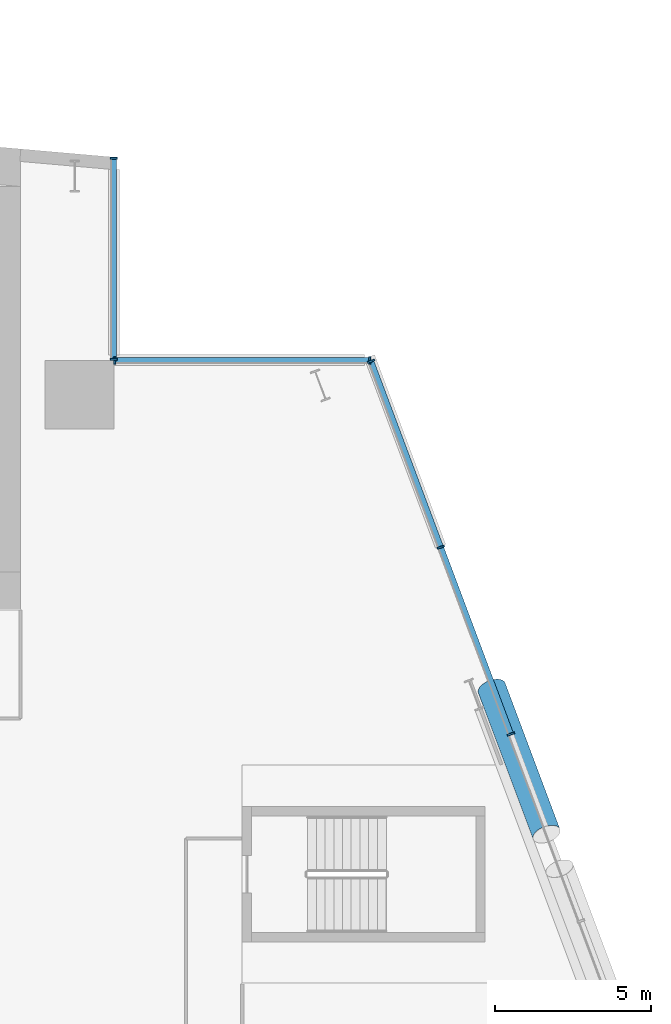
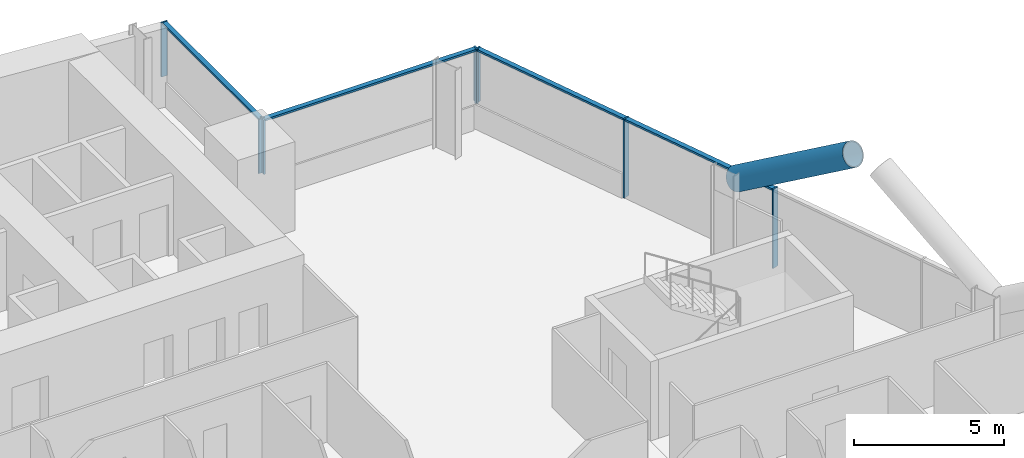
# One storey, part 10 of 28: 12 members, 3 elements without a shape of their own.
"""IFC4 building model written with IfcOpenShell, lengths in metres."""

from ifc_helpers import new_model, si_unit, direction, frame, origin, origin_2d, place, context, subcontext, project, spatial, rectangle, hollow_circle, extrude, material, material_profile, profile_set, type_object, element, aggregate, save


model = new_model("IFC4")

# Units and contexts
model_context = context("Model", 3, precision=1e-05, world=origin(), true_north=direction((0.0, 1.0)))
body_context = subcontext(model_context, "Body", "Model", "MODEL_VIEW")
ifc_project = project(units=[si_unit("LENGTHUNIT", "METRE"), si_unit("AREAUNIT", "SQUARE_METRE"), si_unit("VOLUMEUNIT", "CUBIC_METRE"), si_unit("PLANEANGLEUNIT", "RADIAN"), si_unit("MASSUNIT", "GRAM", prefix="KILO")], contexts=[model_context])

# Site, building, storey
site_placement = place(None, origin())
site = spatial("IfcSite", under=ifc_project, at=site_placement, CompositionType="ELEMENT")
building_placement = place(site_placement, origin())
building = spatial("IfcBuilding", under=site, at=building_placement, Name="Wharfspan Tower", CompositionType="ELEMENT")
storey_placement = place(building_placement, frame((0.0, 0.0, 52.300049)))
storey = spatial("IfcBuildingStorey", under=building, at=storey_placement, Name="L09", CompositionType="ELEMENT", Elevation=52.300049)

# Curtain wall, members
ifc_material_1 = material(Name="Aluminium 6063-T6", Category="aluminium")
curtain_wall_type = type_object("IfcCurtainWallType", Name="CURTAIN WALL PROW AND END", PredefinedType="NOTDEFINED", material=ifc_material_1)
curtain_wall_1_placement = place(storey_placement, origin())
curtain_wall_1 = element("IfcCurtainWall", 1, at=curtain_wall_1_placement, inside=storey, type_object=curtain_wall_type, Name="Curtain wall E", PredefinedType="NOTDEFINED")
ifc_material_profile_1 = material_profile(ifc_material_1, rectangle(XDim=0.23999, YDim=0.060059, at=origin_2d()))
ifc_profile_set_1 = profile_set([ifc_material_profile_1], Name="Aluminium 6063-T6")
member_type_1 = type_object("IfcMemberType", Name="MULLION PROW AND END 60x240", PredefinedType="MULLION", material=ifc_profile_set_1)
member_1_placement = place(storey_placement, frame((80.75, 30.0, 0.0), z_axis=(0.0, 0.0, 1.0), x_axis=(-0.936328, -0.351123, 0.0)))
member_1 = element("IfcMember", 2, at=member_1_placement, type_object=member_type_1, Name="Curtain wall E mullion 6", PredefinedType="MULLION", context=body_context, shape_type="SweptSolid", body=[
    extrude(rectangle(XDim=0.23999, YDim=0.060059, at=origin_2d()), origin(), (0.0, 0.0, 1.0), 3.199951),
])
member_2_placement = place(storey_placement, frame((78.5, 36.0, 0.0), z_axis=(0.0, 0.0, 1.0), x_axis=(-0.936328, -0.351123, 0.0)))
member_2 = element("IfcMember", 3, at=member_2_placement, type_object=member_type_1, Name="Curtain wall E mullion 7", PredefinedType="MULLION", context=body_context, shape_type="SweptSolid", body=[
    extrude(rectangle(XDim=0.23999, YDim=0.060059, at=origin_2d()), origin(), (0.0, 0.0, 1.0), 3.199951),
])
member_3_placement = place(storey_placement, frame((76.260498, 41.971924, 1.0), z_axis=(0.0, 0.0, 1.0), x_axis=(-0.936328, -0.351123, 0.0)))
member_3 = element("IfcMember", 4, at=member_3_placement, type_object=member_type_1, Name="Curtain wall E mullion 8", PredefinedType="MULLION", context=body_context, shape_type="SweptSolid", body=[
    extrude(rectangle(XDim=0.23999, YDim=0.060059, at=origin_2d()), origin(), (0.0, 0.0, 1.0), 2.199951),
])

curtain_wall_2_placement = place(storey_placement, origin())
curtain_wall_2 = element("IfcCurtainWall", 5, at=curtain_wall_2_placement, inside=storey, type_object=curtain_wall_type, Name="Curtain wall NRE-H", PredefinedType="NOTDEFINED")
member_4_placement = place(storey_placement, frame((76.219971, 42.0, 1.0), z_axis=(0.0, 0.0, 1.0), x_axis=(0.0, -1.0, 0.0)))
member_4 = element("IfcMember", 6, at=member_4_placement, type_object=member_type_1, Name="Curtain wall NRE-H mullion 1", PredefinedType="MULLION", context=body_context, shape_type="SweptSolid", body=[
    extrude(rectangle(XDim=0.23999, YDim=0.060059, at=origin_2d()), origin(), (0.0, 0.0, 1.0), 2.199951),
])
member_5_placement = place(storey_placement, frame((68.030029, 42.0, 1.0), z_axis=(0.0, 0.0, 1.0), x_axis=(0.0, -1.0, 0.0)))
member_5 = element("IfcMember", 7, at=member_5_placement, type_object=member_type_1, Name="Curtain wall NRE-H mullion 2", PredefinedType="MULLION", context=body_context, shape_type="SweptSolid", body=[
    extrude(rectangle(XDim=0.23999, YDim=0.060059, at=origin_2d()), origin(), (0.0, 0.0, 1.0), 2.199951),
])

curtain_wall_3_placement = place(storey_placement, origin())
curtain_wall_3 = element("IfcCurtainWall", 8, at=curtain_wall_3_placement, inside=storey, type_object=curtain_wall_type, Name="Curtain wall NRE-V", PredefinedType="NOTDEFINED")
member_6_placement = place(storey_placement, frame((68.0, 42.030029, 1.0), z_axis=(0.0, 0.0, 1.0), x_axis=(-1.0, 0.0, 0.0)))
member_6 = element("IfcMember", 9, at=member_6_placement, type_object=member_type_1, Name="Curtain wall NRE-V mullion 1", PredefinedType="MULLION", context=body_context, shape_type="SweptSolid", body=[
    extrude(rectangle(XDim=0.23999, YDim=0.060059, at=origin_2d()), origin(), (0.0, 0.0, 1.0), 2.199951),
])
member_7_placement = place(storey_placement, frame((68.0, 48.494873, 1.0), z_axis=(0.0, 0.0, 1.0), x_axis=(-1.0, 0.0, 0.0)))
member_7 = element("IfcMember", 10, at=member_7_placement, type_object=member_type_1, Name="Curtain wall NRE-V mullion 2", PredefinedType="MULLION", context=body_context, shape_type="SweptSolid", body=[
    extrude(rectangle(XDim=0.23999, YDim=0.060059, at=origin_2d()), origin(), (0.0, 0.0, 1.0), 2.199951),
])

# Member
ifc_material_2 = material(Name="Steel S460NH", Category="steel")
ifc_material_profile_2 = material_profile(ifc_material_2, hollow_circle(Radius=0.457031, WallThickness=0.040039, at=origin_2d()))
ifc_profile_set_2 = profile_set([ifc_material_profile_2], Name="Steel S460NH")
member_type_2 = type_object("IfcMemberType", Name="Mega brace CHS 914x40", PredefinedType="BRACE", material=ifc_profile_set_2)
member_8_placement = place(storey_placement, frame((80.135986, 31.480713, 2.899902), z_axis=(0.295459, -0.787904, 0.540288), x_axis=(0.936328, 0.351115, -3e-06)))
element("IfcMember", 11, at=member_8_placement, inside=storey, type_object=member_type_2, Name="Mega brace E6 L10 part 3", PredefinedType="BRACE", context=body_context, shape_type="SweptSolid", body=[
    extrude(hollow_circle(Radius=0.457031, WallThickness=0.040039, at=origin_2d()), origin(), (0.0, 0.0, 1.0), 5.955322),
])

ifc_material_profile_3 = material_profile(ifc_material_1, rectangle(XDim=0.179932, YDim=0.080078, at=origin_2d()))
ifc_profile_set_3 = profile_set([ifc_material_profile_3], Name="Aluminium 6063-T6")
member_type_3 = type_object("IfcMemberType", Name="TRANSOM PROW AND END 80x180", PredefinedType="USERDEFINED", material=ifc_profile_set_3)
member_9_placement = place(storey_placement, frame((80.739502, 30.028076, 3.159912), z_axis=(-0.351132, 0.936326, 0.0), x_axis=(-0.936326, -0.351132, 0.0)))
member_9 = element("IfcMember", 12, at=member_9_placement, type_object=member_type_3, Name="Curtain wall E transom 6", ObjectType="TRANSOM", PredefinedType="USERDEFINED", context=body_context, shape_type="SweptSolid", body=[
    extrude(rectangle(XDim=0.179932, YDim=0.080078, at=origin_2d()), origin(), (0.0, 0.0, 1.0), 6.348145),
])

member_10_placement = place(storey_placement, frame((78.489502, 36.028076, 3.159912), z_axis=(-0.351136, 0.936324, 0.0), x_axis=(-0.936324, -0.351136, 0.0)))
member_10 = element("IfcMember", 13, at=member_10_placement, type_object=member_type_3, Name="Curtain wall E transom 7", ObjectType="TRANSOM", PredefinedType="USERDEFINED", context=body_context, shape_type="SweptSolid", body=[
    extrude(rectangle(XDim=0.179932, YDim=0.080078, at=origin_2d()), origin(), (0.0, 0.0, 1.0), 6.318115),
])

aggregate(curtain_wall_1, [member_1, member_2, member_3, member_9, member_10])

member_11_placement = place(storey_placement, frame((76.189941, 42.0, 3.159912), z_axis=(-1.0, 0.0, 0.0), x_axis=(0.0, -1.0, 0.0)))
member_11 = element("IfcMember", 14, at=member_11_placement, type_object=member_type_3, Name="Curtain wall NRE-H transom 1", ObjectType="TRANSOM", PredefinedType="USERDEFINED", context=body_context, shape_type="SweptSolid", body=[
    extrude(rectangle(XDim=0.179932, YDim=0.080078, at=origin_2d()), origin(), (0.0, 0.0, 1.0), 8.129883),
])

aggregate(curtain_wall_2, [member_4, member_5, member_11])

member_12_placement = place(storey_placement, frame((68.0, 42.060059, 3.159912), z_axis=(0.0, 1.0, 0.0), x_axis=(-1.0, 0.0, 0.0)))
member_12 = element("IfcMember", 15, at=member_12_placement, type_object=member_type_3, Name="Curtain wall NRE-V transom 1", ObjectType="TRANSOM", PredefinedType="USERDEFINED", context=body_context, shape_type="SweptSolid", body=[
    extrude(rectangle(XDim=0.179932, YDim=0.080078, at=origin_2d()), origin(), (0.0, 0.0, 1.0), 6.404785),
])

aggregate(curtain_wall_3, [member_6, member_7, member_12])

save(model, "model.ifc")
